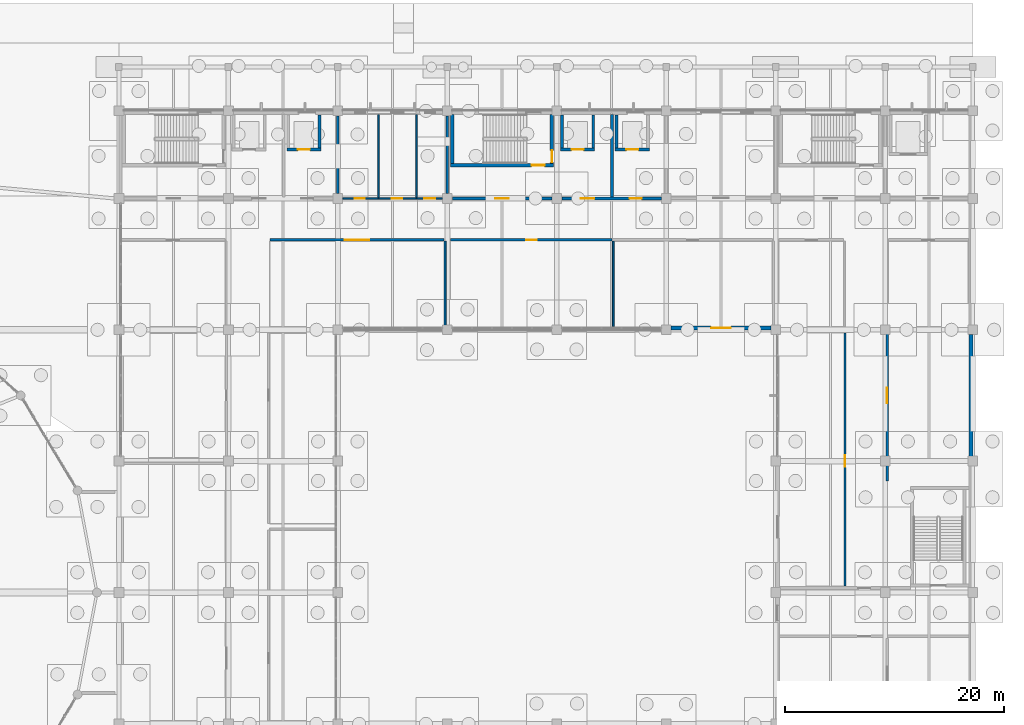
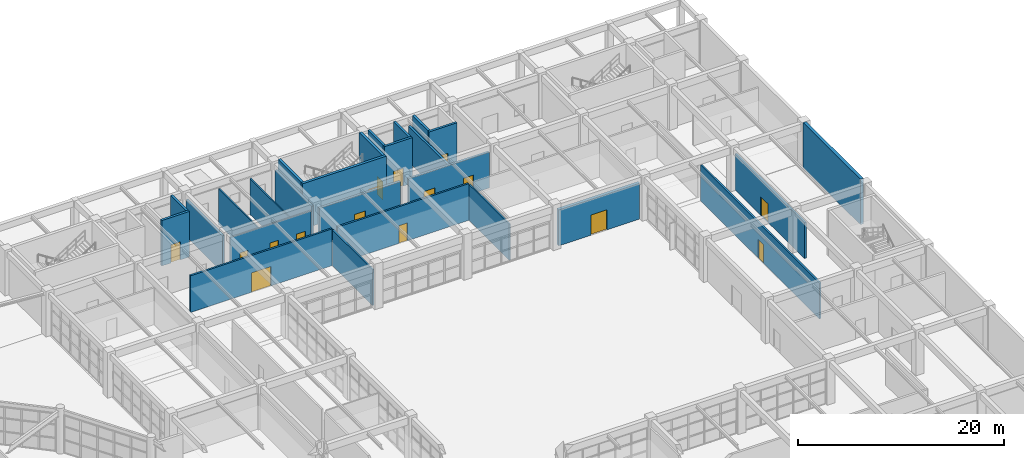
# One storey, part 82 of 99: 26 walls, 16 doors, 16 openings.
"""IFC4 building model written with IfcOpenShell, lengths in metres."""

from ifc_helpers import new_model, si_unit, direction, frame, frame_2d, origin, place, context, subcontext, project, spatial, rectangle, extrude, material, layer, layer_set, type_object, element, fill, save


model = new_model("IFC4")

# Units and contexts
model_context = context("Model", 3, precision=1e-05, world=origin(), true_north=direction((0.0, 1.0)))
body_context = subcontext(model_context, "Body", "Model", "MODEL_VIEW")
ifc_project = project(units=[si_unit("LENGTHUNIT", "METRE"), si_unit("AREAUNIT", "SQUARE_METRE"), si_unit("VOLUMEUNIT", "CUBIC_METRE"), si_unit("PLANEANGLEUNIT", "RADIAN"), si_unit("MASSUNIT", "GRAM", prefix="KILO")], contexts=[model_context])

# Site, building, storey
site_placement = place(None, origin())
site = spatial("IfcSite", under=ifc_project, at=site_placement, CompositionType="ELEMENT")
building_placement = place(site_placement, origin())
building = spatial("IfcBuilding", under=site, at=building_placement, Name="Kivolera Central Railway Station", CompositionType="ELEMENT")
storey_placement = place(building_placement, origin())
storey = spatial("IfcBuildingStorey", under=building, at=storey_placement, Name="L00", CompositionType="ELEMENT", Elevation=0.0)

# Wall, opening, door
ifc_material_1 = material(Name="Concrete C40/50", Category="concrete")
ifc_layer_1 = layer(ifc_material_1, 0.22998046875, Name="Concrete C40/50")
ifc_layer_set_1 = layer_set([ifc_layer_1], Name="Concrete C40/50")
wall_type_1 = type_object("IfcWallType", Name="WL-COMP-230", PredefinedType="PARTITIONING", material=ifc_layer_set_1)
wall_1_placement = place(storey_placement, frame((188.179931640625, 100.199951171875, 0.0), z_axis=(0.0, 0.0, 1.0), x_axis=(0.0, 1.0, 0.0)))
wall_1 = element("IfcWall", 1, at=wall_1_placement, inside=storey, type_object=wall_type_1, Name="L00 Chilled Water Plant Room Corridor Wall", PredefinedType="PARTITIONING", context=body_context, shape_type="SweptSolid", body=[
    extrude(rectangle(XDim=13.5, YDim=0.22998046875, at=frame_2d((6.75, 0.0))), origin(), (0.0, 0.0, 1.0), 4.258056640625),
])
opening_1_placement = place(wall_1_placement, frame((7.10009765625, 0.0, 0.0)))
opening_1 = element("IfcOpeningElement", 2, at=opening_1_placement, cuts=wall_1, Name="Opening D-PLT-1400", PredefinedType="OPENING", context=body_context, shape_type="SweptSolid", body=[
    extrude(rectangle(XDim=1.39990234375, YDim=2.199951171875, at=frame_2d((0.699951171875, 1.10009765625))), frame((0.0, 0.125, 0.0), z_axis=(0.0, -1.0, 0.0), x_axis=(1.0, 0.0, 0.0)), (0.0, 0.0, 1.0), 0.25),
])
ifc_material_2 = material(Name="Anodised aluminium", Category="aluminium")
door_type_1 = type_object("IfcDoorType", Name="DR-D-PLT-1400", OperationType="NOTDEFINED", PredefinedType="DOOR", material=ifc_material_2)
door_1_placement = place(opening_1_placement, origin())
door_1 = element("IfcDoor", 3, at=door_1_placement, inside=storey, type_object=door_type_1, Name="L00 Chilled Water Plant Room Door", OperationType="SINGLE_SWING_LEFT", OverallHeight=2.199951171875, OverallWidth=1.39990234375, PredefinedType="DOOR", context=body_context, shape_type="SweptSolid", body=[
    extrude(rectangle(XDim=1.39990234375, YDim=2.199951171875, at=frame_2d((0.699951171875, 1.10009765625))), frame((0.0, 0.02490234375, 0.0), z_axis=(0.0, -1.0, 0.0), x_axis=(1.0, 0.0, 0.0)), (0.0, 0.0, 1.0), 0.050048828125),
])
fill(opening_1, door_1)

ifc_material_3 = material(Name="Swahili coral limestone", Category="masonry")
ifc_layer_2 = layer(ifc_material_3, 0.199951171875, Name="Swahili coral limestone")
ifc_layer_set_2 = layer_set([ifc_layer_2], Name="Swahili coral limestone")
wall_type_2 = type_object("IfcWallType", Name="WL-COR-200", PredefinedType="PARTITIONING", material=ifc_layer_set_2)
wall_2_placement = place(storey_placement, frame((131.800048828125, 122.219970703125, 0.0), z_axis=(0.0, 0.0, 1.0), x_axis=(1.0, 0.0, 0.0)))
wall_2 = element("IfcWall", 4, at=wall_2_placement, inside=storey, type_object=wall_type_2, Name="L00 Station Pharmacy and Travel Retail Shop Corridor Wall", PredefinedType="PARTITIONING", context=body_context, shape_type="SweptSolid", body=[
    extrude(rectangle(XDim=15.89990234375, YDim=0.199951171875, at=frame_2d((7.949951171875, 0.0))), origin(), (0.0, 0.0, 1.0), 4.35791015625),
])
opening_2_placement = place(wall_2_placement, frame((6.85009765625, 0.0, 0.0)))
opening_2 = element("IfcOpeningElement", 5, at=opening_2_placement, cuts=wall_2, Name="Opening D-DB-08", PredefinedType="OPENING", context=body_context, shape_type="SweptSolid", body=[
    extrude(rectangle(XDim=2.199951171875, YDim=2.300048828125, at=frame_2d((1.10009765625, 1.14990234375))), frame((0.0, 0.10986328125, 0.0), z_axis=(0.0, -1.0, 0.0), x_axis=(1.0, 0.0, 0.0)), (0.0, 0.0, 1.0), 0.219970703125),
])
door_type_2 = type_object("IfcDoorType", Name="DR-D-DB-08", OperationType="NOTDEFINED", PredefinedType="DOOR", material=ifc_material_2)
door_2_placement = place(opening_2_placement, origin())
door_2 = element("IfcDoor", 6, at=door_2_placement, inside=storey, type_object=door_type_2, Name="L00 Station Pharmacy and Travel Retail Shop Door", OperationType="DOUBLE_DOOR_SINGLE_SWING", OverallHeight=2.300048828125, OverallWidth=2.199951171875, PredefinedType="DOOR", context=body_context, shape_type="SweptSolid", body=[
    extrude(rectangle(XDim=2.199951171875, YDim=2.300048828125, at=frame_2d((1.10009765625, 1.14990234375))), frame((0.0, 0.02490234375, 0.0), z_axis=(0.0, -1.0, 0.0), x_axis=(1.0, 0.0, 0.0)), (0.0, 0.0, 1.0), 0.050048828125),
])
fill(opening_2, door_2)

wall_3_placement = place(storey_placement, frame((148.300048828125, 122.219970703125, 0.0), z_axis=(0.0, 0.0, 1.0), x_axis=(1.0, 0.0, 0.0)))
wall_3 = element("IfcWall", 7, at=wall_3_placement, inside=storey, type_object=wall_type_2, Name="L00 Swahili Craft and Book Retail Shop Corridor Wall", PredefinedType="PARTITIONING", context=body_context, shape_type="SweptSolid", body=[
    extrude(rectangle(XDim=14.75, YDim=0.199951171875, at=frame_2d((7.375, 0.0))), origin(), (0.0, 0.0, 1.0), 4.35791015625),
])
opening_3_placement = place(wall_3_placement, frame((6.89990234375, 0.0, 0.0)))
opening_3 = element("IfcOpeningElement", 8, at=opening_3_placement, cuts=wall_3, Name="Opening D-SG-02", PredefinedType="OPENING", context=body_context, shape_type="SweptSolid", body=[
    extrude(rectangle(XDim=0.949951171875, YDim=2.10009765625, at=frame_2d((0.47509765625, 1.050048828125))), frame((0.0, 0.10986328125, 0.0), z_axis=(0.0, -1.0, 0.0), x_axis=(1.0, 0.0, 0.0)), (0.0, 0.0, 1.0), 0.219970703125),
])
ifc_material_4 = material(Name="Hardwood mvule timber", Category="wood")
door_type_3 = type_object("IfcDoorType", Name="DR-D-SG-02", OperationType="NOTDEFINED", PredefinedType="DOOR", material=ifc_material_4)
door_3_placement = place(opening_3_placement, origin())
door_3 = element("IfcDoor", 9, at=door_3_placement, inside=storey, type_object=door_type_3, Name="L00 Swahili Craft and Book Retail Shop Door", OperationType="SINGLE_SWING_LEFT", OverallHeight=2.10009765625, OverallWidth=0.949951171875, PredefinedType="DOOR", context=body_context, shape_type="SweptSolid", body=[
    extrude(rectangle(XDim=0.949951171875, YDim=2.10009765625, at=frame_2d((0.47509765625, 1.050048828125))), frame((0.0, 0.02490234375, 0.0), z_axis=(0.0, -1.0, 0.0), x_axis=(1.0, 0.0, 0.0)), (0.0, 0.0, 1.0), 0.050048828125),
])
fill(opening_3, door_3)

wall_4_placement = place(storey_placement, frame((184.320068359375, 90.60009765625, 0.0), z_axis=(0.0, 0.0, 1.0), x_axis=(0.0, 1.0, 0.0)))
wall_4 = element("IfcWall", 10, at=wall_4_placement, inside=storey, type_object=wall_type_2, Name="L00 Botanical Florist and Gift Shop Corridor Wall", PredefinedType="PARTITIONING", context=body_context, shape_type="SweptSolid", body=[
    extrude(rectangle(XDim=23.099853515625, YDim=0.199951171875, at=frame_2d((11.5498046875, 0.0))), origin(), (0.0, 0.0, 1.0), 4.258056640625),
])
opening_4_placement = place(wall_4_placement, frame((10.875, 0.0, 0.0)))
opening_4 = element("IfcOpeningElement", 11, at=opening_4_placement, cuts=wall_4, Name="Opening D-SG-10", PredefinedType="OPENING", context=body_context, shape_type="SweptSolid", body=[
    extrude(rectangle(XDim=1.050048828125, YDim=2.199951171875, at=frame_2d((0.52490234375, 1.10009765625))), frame((0.0, 0.10986328125, 0.0), z_axis=(0.0, -1.0, 0.0), x_axis=(1.0, 0.0, 0.0)), (0.0, 0.0, 1.0), 0.219970703125),
])
door_type_4 = type_object("IfcDoorType", Name="DR-D-SG-10", OperationType="NOTDEFINED", PredefinedType="DOOR", material=ifc_material_4)
door_4_placement = place(opening_4_placement, origin())
door_4 = element("IfcDoor", 12, at=door_4_placement, inside=storey, type_object=door_type_4, Name="L00 Botanical Florist and Gift Shop Door", OperationType="SINGLE_SWING_RIGHT", OverallHeight=2.199951171875, OverallWidth=1.050048828125, PredefinedType="DOOR", context=body_context, shape_type="SweptSolid", body=[
    extrude(rectangle(XDim=1.050048828125, YDim=2.199951171875, at=frame_2d((0.52490234375, 1.10009765625))), frame((0.0, 0.02490234375, 0.0), z_axis=(0.0, -1.0, 0.0), x_axis=(1.0, 0.0, 0.0)), (0.0, 0.0, 1.0), 0.050048828125),
])
fill(opening_4, door_4)

ifc_layer_3 = layer(ifc_material_1, 0.300048828125, Name="Concrete C40/50")
ifc_layer_set_3 = layer_set([ifc_layer_3], Name="Concrete C40/50")
wall_type_3 = type_object("IfcWallType", Name="WL-CORE-300", PredefinedType="SHEAR", material=ifc_layer_set_3)
wall_5_placement = place(storey_placement, frame((157.699951171875, 129.030029296875, 0.0), z_axis=(0.0, 0.0, 1.0), x_axis=(-1.0, 0.0, 0.0)))
wall_5 = element("IfcWall", 13, at=wall_5_placement, inside=storey, type_object=wall_type_3, Name="L00 ST2 Core Right Shear Wall", PredefinedType="SHEAR", context=body_context, shape_type="SweptSolid", body=[
    extrude(rectangle(XDim=9.39990234375, YDim=0.300048828125, at=frame_2d((4.699951171875, 0.0))), origin(), (0.0, 0.0, 1.0), 5.39990234375),
])
opening_5_placement = place(wall_5_placement, frame((0.800048828125, 0.0, 0.0)))
opening_5 = element("IfcOpeningElement", 14, at=opening_5_placement, cuts=wall_5, Name="Opening D-STAIR-1200", PredefinedType="OPENING", context=body_context, shape_type="SweptSolid", body=[
    extrude(rectangle(XDim=1.199951171875, YDim=2.14990234375, at=frame_2d((0.60009765625, 1.074951171875))), frame((0.0, 0.159912109375, 0.0), z_axis=(0.0, -1.0, 0.0), x_axis=(1.0, 0.0, 0.0)), (0.0, 0.0, 1.0), 0.320068359375),
])
door_type_5 = type_object("IfcDoorType", Name="DR-D-STAIR-1200", OperationType="NOTDEFINED", PredefinedType="DOOR", material=ifc_material_4)
door_5_placement = place(opening_5_placement, origin())
door_5 = element("IfcDoor", 15, at=door_5_placement, inside=storey, type_object=door_type_5, Name="L00 ST2 Vestibule Fire Door", OperationType="SINGLE_SWING_LEFT", OverallHeight=2.14990234375, OverallWidth=1.199951171875, PredefinedType="DOOR", context=body_context, shape_type="SweptSolid", body=[
    extrude(rectangle(XDim=1.199951171875, YDim=2.14990234375, at=frame_2d((0.60009765625, 1.074951171875))), frame((0.0, 0.02490234375, 0.0), z_axis=(0.0, -1.0, 0.0), x_axis=(1.0, 0.0, 0.0)), (0.0, 0.0, 1.0), 0.050048828125),
])
fill(opening_5, door_5)

wall_6_placement = place(storey_placement, frame((157.550048828125, 133.679931640625, 0.0), z_axis=(0.0, 0.0, 1.0), x_axis=(0.0, -1.0, 0.0)))
wall_6 = element("IfcWall", 16, at=wall_6_placement, inside=storey, type_object=wall_type_3, Name="L00 ST2 Core Near Shear Wall", PredefinedType="SHEAR", context=body_context, shape_type="SweptSolid", body=[
    extrude(rectangle(XDim=4.5, YDim=0.300048828125, at=frame_2d((2.25, 0.0))), origin(), (0.0, 0.0, 1.0), 5.39990234375),
])
opening_6_placement = place(wall_6_placement, frame((3.300048828125, 0.0, 0.0)))
opening_6 = element("IfcOpeningElement", 17, at=opening_6_placement, cuts=wall_6, Name="Opening D-FFL-1100", PredefinedType="OPENING", context=body_context, shape_type="SweptSolid", body=[
    extrude(rectangle(XDim=1.10009765625, YDim=2.14990234375, at=frame_2d((0.550048828125, 1.074951171875))), frame((0.0, 0.159912109375, 0.0), z_axis=(0.0, -1.0, 0.0), x_axis=(1.0, 0.0, 0.0)), (0.0, 0.0, 1.0), 0.320068359375),
])
door_type_6 = type_object("IfcDoorType", Name="DR-D-FFL-1100", OperationType="NOTDEFINED", PredefinedType="DOOR", material=ifc_material_4)
door_6_placement = place(opening_6_placement, origin())
door_6 = element("IfcDoor", 18, at=door_6_placement, inside=storey, type_object=door_type_6, Name="L00 Firefighting Lobby to ST2 Fire Door", OperationType="SINGLE_SWING_RIGHT", OverallHeight=2.14990234375, OverallWidth=1.10009765625, PredefinedType="DOOR", context=body_context, shape_type="SweptSolid", body=[
    extrude(rectangle(XDim=1.10009765625, YDim=2.14990234375, at=frame_2d((0.550048828125, 1.074951171875))), frame((0.0, 0.02490234375, 0.0), z_axis=(0.0, -1.0, 0.0), x_axis=(1.0, 0.0, 0.0)), (0.0, 0.0, 1.0), 0.050048828125),
])
fill(opening_6, door_6)

# Wall
wall_7_placement = place(storey_placement, frame((148.449951171875, 129.179931640625, 0.0), z_axis=(0.0, 0.0, 1.0), x_axis=(0.0, 1.0, 0.0)))
element("IfcWall", 19, at=wall_7_placement, inside=storey, type_object=wall_type_3, Name="L00 ST2 Core Far Shear Wall", PredefinedType="SHEAR", context=body_context, shape_type="SweptSolid", body=[
    extrude(rectangle(XDim=4.5, YDim=0.300048828125, at=frame_2d((2.25, 0.0))), origin(), (0.0, 0.0, 1.0), 5.39990234375),
])

# Wall, opening, door
ifc_layer_4 = layer(ifc_material_3, 0.340087890625, Name="Swahili coral limestone")
ifc_layer_set_4 = layer_set([ifc_layer_4], Name="Swahili coral limestone")
wall_type_4 = type_object("IfcWallType", Name="WL-EXT-PLINTH-340", PredefinedType="SOLIDWALL", material=ifc_layer_set_4)
wall_8_placement = place(storey_placement, frame((177.554931640625, 114.169921875, 0.0), z_axis=(0.0, 0.0, 1.0), x_axis=(-1.0, 0.0, 0.0)))
wall_8 = element("IfcWall", 20, at=wall_8_placement, inside=storey, type_object=wall_type_4, Name="L00 Courtyard North Wall 168", PredefinedType="SOLIDWALL", context=body_context, shape_type="SweptSolid", body=[
    extrude(rectangle(XDim=9.10986328125, YDim=0.340087890625, at=frame_2d((4.554931640625, 0.0))), origin(), (0.0, 0.0, 1.0), 4.258056640625),
])
opening_7_placement = place(wall_8_placement, frame((3.655029296875, 0.0, 0.0)))
opening_7 = element("IfcOpeningElement", 21, at=opening_7_placement, cuts=wall_8, Name="Opening ED-1800", PredefinedType="OPENING", context=body_context, shape_type="SweptSolid", body=[
    extrude(rectangle(XDim=1.800048828125, YDim=2.39990234375, at=frame_2d((0.89990234375, 1.199951171875))), frame((0.0, 0.179931640625, 0.0), z_axis=(0.0, -1.0, 0.0), x_axis=(1.0, 0.0, 0.0)), (0.0, 0.0, 1.0), 0.360107421875),
])
door_type_7 = type_object("IfcDoorType", Name="DR-ED-1800", OperationType="NOTDEFINED", PredefinedType="DOOR", material=ifc_material_2)
door_7_placement = place(opening_7_placement, origin())
door_7 = element("IfcDoor", 22, at=door_7_placement, inside=storey, type_object=door_type_7, Name="Monsoon Court Cafe Exit Door ED-33", OperationType="DOUBLE_DOOR_SINGLE_SWING", OverallHeight=2.39990234375, OverallWidth=1.800048828125, PredefinedType="DOOR", context=body_context, shape_type="SweptSolid", body=[
    extrude(rectangle(XDim=1.800048828125, YDim=2.39990234375, at=frame_2d((0.89990234375, 1.199951171875))), frame((0.0, 0.02490234375, 0.0), z_axis=(0.0, -1.0, 0.0), x_axis=(1.0, 0.0, 0.0)), (0.0, 0.0, 1.0), 0.050048828125),
])
fill(opening_7, door_7)

ifc_layer_5 = layer(ifc_material_1, 0.25, Name="Concrete C40/50")
ifc_layer_set_5 = layer_set([ifc_layer_5], Name="Concrete C40/50")
wall_type_5 = type_object("IfcWallType", Name="WL-FFL-250", PredefinedType="PARTITIONING", material=ifc_layer_set_5)
wall_9_placement = place(storey_placement, frame((148.455078125, 126.0, 0.0), z_axis=(0.0, 0.0, 1.0), x_axis=(1.0, 0.0, 0.0)))
wall_9 = element("IfcWall", 23, at=wall_9_placement, inside=storey, type_object=wall_type_5, Name="L00 North Core Corridor Wall 148", PredefinedType="PARTITIONING", context=body_context, shape_type="SweptSolid", body=[
    extrude(rectangle(XDim=9.08984375, YDim=0.25, at=frame_2d((4.544921875, 0.0))), origin(), (0.0, 0.0, 1.0), 4.258056640625),
])
opening_8_placement = place(wall_9_placement, frame((3.919921875, 0.0, 0.0)))
opening_8 = element("IfcOpeningElement", 24, at=opening_8_placement, cuts=wall_9, Name="Opening D-FFL-1250", PredefinedType="OPENING", context=body_context, shape_type="SweptSolid", body=[
    extrude(rectangle(XDim=1.25, YDim=2.14990234375, at=frame_2d((0.625, 1.074951171875))), frame((0.0, 0.135009765625, 0.0), z_axis=(0.0, -1.0, 0.0), x_axis=(1.0, 0.0, 0.0)), (0.0, 0.0, 1.0), 0.27001953125),
])
door_type_8 = type_object("IfcDoorType", Name="DR-D-FFL-1250", OperationType="NOTDEFINED", PredefinedType="DOOR", material=ifc_material_4)
door_8_placement = place(opening_8_placement, origin())
door_8 = element("IfcDoor", 25, at=door_8_placement, inside=storey, type_object=door_type_8, Name="L00 ST2 Vestibule Corridor Door", OperationType="SINGLE_SWING_LEFT", OverallHeight=2.14990234375, OverallWidth=1.25, PredefinedType="DOOR", context=body_context, shape_type="SweptSolid", body=[
    extrude(rectangle(XDim=1.25, YDim=2.14990234375, at=frame_2d((0.625, 1.074951171875))), frame((0.0, 0.02490234375, 0.0), z_axis=(0.0, -1.0, 0.0), x_axis=(1.0, 0.0, 0.0)), (0.0, 0.0, 1.0), 0.050048828125),
])
fill(opening_8, door_8)

# Wall, openings, doors
wall_10_placement = place(storey_placement, frame((158.455078125, 126.0, 0.0), z_axis=(0.0, 0.0, 1.0), x_axis=(1.0, 0.0, 0.0)))
wall_10 = element("IfcWall", 26, at=wall_10_placement, inside=storey, type_object=wall_type_5, Name="L00 North Core Corridor Wall 158", PredefinedType="PARTITIONING", context=body_context, shape_type="SweptSolid", body=[
    extrude(rectangle(XDim=9.08984375, YDim=0.25, at=frame_2d((4.544921875, 0.0))), origin(), (0.0, 0.0, 1.0), 4.258056640625),
])
opening_9_placement = place(wall_10_placement, frame((1.719970703125, 0.0, 0.0)))
opening_9 = element("IfcOpeningElement", 27, at=opening_9_placement, cuts=wall_10, Name="Opening D-FFL-1250", PredefinedType="OPENING", context=body_context, shape_type="SweptSolid", body=[
    extrude(rectangle(XDim=1.25, YDim=2.14990234375, at=frame_2d((0.625, 1.074951171875))), frame((0.0, 0.135009765625, 0.0), z_axis=(0.0, -1.0, 0.0), x_axis=(1.0, 0.0, 0.0)), (0.0, 0.0, 1.0), 0.27001953125),
])
opening_10_placement = place(wall_10_placement, frame((6.195068359375, 0.0, 0.0)))
opening_10 = element("IfcOpeningElement", 28, at=opening_10_placement, cuts=wall_10, Name="Opening D-FFL-1100", PredefinedType="OPENING", context=body_context, shape_type="SweptSolid", body=[
    extrude(rectangle(XDim=1.10009765625, YDim=2.14990234375, at=frame_2d((0.550048828125, 1.074951171875))), frame((0.0, 0.135009765625, 0.0), z_axis=(0.0, -1.0, 0.0), x_axis=(1.0, 0.0, 0.0)), (0.0, 0.0, 1.0), 0.27001953125),
])
door_9_placement = place(opening_10_placement, origin())
door_9 = element("IfcDoor", 29, at=door_9_placement, inside=storey, type_object=door_type_6, Name="L00 PL2 Lift Lobby Door", OperationType="SINGLE_SWING_LEFT", OverallHeight=2.14990234375, OverallWidth=1.10009765625, PredefinedType="DOOR", context=body_context, shape_type="SweptSolid", body=[
    extrude(rectangle(XDim=1.10009765625, YDim=2.14990234375, at=frame_2d((0.550048828125, 1.074951171875))), frame((0.0, 0.02490234375, 0.0), z_axis=(0.0, -1.0, 0.0), x_axis=(1.0, 0.0, 0.0)), (0.0, 0.0, 1.0), 0.050048828125),
])
fill(opening_10, door_9)
door_10_placement = place(opening_9_placement, origin())
door_10 = element("IfcDoor", 30, at=door_10_placement, inside=storey, type_object=door_type_8, Name="L00 FL2 Firefighting Lobby Corridor Fire Door", OperationType="SINGLE_SWING_RIGHT", OverallHeight=2.14990234375, OverallWidth=1.25, PredefinedType="DOOR", context=body_context, shape_type="SweptSolid", body=[
    extrude(rectangle(XDim=1.25, YDim=2.14990234375, at=frame_2d((0.625, 1.074951171875))), frame((0.0, 0.02490234375, 0.0), z_axis=(0.0, -1.0, 0.0), x_axis=(1.0, 0.0, 0.0)), (0.0, 0.0, 1.0), 0.050048828125),
])
fill(opening_9, door_10)

# Walls
wall_11_placement = place(storey_placement, frame((163.050048828125, 126.125, 0.0), z_axis=(0.0, 0.0, 1.0), x_axis=(0.0, 1.0, 0.0)))
element("IfcWall", 31, at=wall_11_placement, inside=storey, type_object=wall_type_5, Name="L00 North Core Partition FFL2-DIV", PredefinedType="PARTITIONING", context=body_context, shape_type="SweptSolid", body=[
    extrude(rectangle(XDim=7.534912109375, YDim=0.25, at=frame_2d((3.767578125, 0.0))), origin(), (0.0, 0.0, 1.0), 4.258056640625),
])
for number, where, z_axis, x_axis, name in (
    (32, (138.0, 126.455078125, 0.0), (0.0, 0.0, 1.0), (0.0, 1.0, 0.0), "L00 North Core Partition GRID-138"),
    (33, (148.0, 126.455078125, 0.0), (0.0, 0.0, 1.0), (0.0, 1.0, 0.0), "L00 North Core Partition GRID-148"),
):
    element("IfcWall", number, at=place(storey_placement, frame(where, z_axis=z_axis, x_axis=x_axis)), inside=storey, type_object=wall_type_5, Name=name, PredefinedType="PARTITIONING", context=body_context, shape_type="SweptSolid", body=[
        extrude(rectangle(XDim=7.08984375, YDim=0.25, at=frame_2d((3.544921875, 0.0))), origin(), (0.0, 0.0, 1.0), 4.35791015625),
    ])
ifc_layer_6 = layer(ifc_material_1, 0.35009765625, Name="Concrete C40/50")
ifc_layer_set_6 = layer_set([ifc_layer_6], Name="Concrete C40/50")
wall_type_6 = type_object("IfcWallType", Name="WL-PARTY-350", PredefinedType="SOLIDWALL", material=ifc_layer_set_6)
wall_12_placement = place(storey_placement, frame((195.824951171875, 113.554931640625, 0.0), z_axis=(0.0, 0.0, 1.0), x_axis=(0.0, -1.0, 0.0)))
element("IfcWall", 34, at=wall_12_placement, inside=storey, type_object=wall_type_6, Name="L00 East Infill EI 120 Party Wall 102-114", PredefinedType="SOLIDWALL", context=body_context, shape_type="SweptSolid", body=[
    extrude(rectangle(XDim=11.10986328125, YDim=0.35009765625, at=frame_2d((5.554931640625, 0.0))), origin(), (0.0, 0.0, 1.0), 5.39990234375),
])

# Wall, openings, doors
ifc_material_5 = material(Name="Gypsum plasterboard steel-stud partition")
ifc_layer_7 = layer(ifc_material_5, 0.14990234375, Name="Gypsum plasterboard steel-stud partition")
ifc_layer_set_7 = layer_set([ifc_layer_7], Name="Gypsum plasterboard steel-stud partition")
wall_type_7 = type_object("IfcWallType", Name="WL-PRT-150", PredefinedType="PARTITIONING", material=ifc_layer_set_7)
wall_13_placement = place(storey_placement, frame((138.455078125, 126.0, 0.0), z_axis=(0.0, 0.0, 1.0), x_axis=(1.0, 0.0, 0.0)))
wall_13 = element("IfcWall", 35, at=wall_13_placement, inside=storey, type_object=wall_type_7, Name="L00 North Core Corridor Wall 138", PredefinedType="PARTITIONING", context=body_context, shape_type="SweptSolid", body=[
    extrude(rectangle(XDim=9.08984375, YDim=0.14990234375, at=frame_2d((4.544921875, 0.0))), origin(), (0.0, 0.0, 1.0), 4.258056640625),
])
opening_11_placement = place(wall_13_placement, frame((1.094970703125, 0.0, 0.0)))
opening_11 = element("IfcOpeningElement", 36, at=opening_11_placement, cuts=wall_13, Name="Opening D-WC-0900", PredefinedType="OPENING", context=body_context, shape_type="SweptSolid", body=[
    extrude(rectangle(XDim=0.89990234375, YDim=2.050048828125, at=frame_2d((0.449951171875, 1.02490234375))), frame((0.0, 0.0849609375, 0.0), z_axis=(0.0, -1.0, 0.0), x_axis=(1.0, 0.0, 0.0)), (0.0, 0.0, 1.0), 0.169921875),
])
opening_12_placement = place(wall_13_placement, frame((4.469970703125, 0.0, 0.0)))
opening_12 = element("IfcOpeningElement", 37, at=opening_12_placement, cuts=wall_13, Name="Opening D-WC-0950", PredefinedType="OPENING", context=body_context, shape_type="SweptSolid", body=[
    extrude(rectangle(XDim=0.949951171875, YDim=2.050048828125, at=frame_2d((0.47509765625, 1.02490234375))), frame((0.0, 0.0849609375, 0.0), z_axis=(0.0, -1.0, 0.0), x_axis=(1.0, 0.0, 0.0)), (0.0, 0.0, 1.0), 0.169921875),
])
opening_13_placement = place(wall_13_placement, frame((7.445068359375, 0.0, 0.0)))
opening_13 = element("IfcOpeningElement", 38, at=opening_13_placement, cuts=wall_13, Name="Opening D-ACC-1000", PredefinedType="OPENING", context=body_context, shape_type="SweptSolid", body=[
    extrude(rectangle(XDim=1.0, YDim=2.050048828125, at=frame_2d((0.5, 1.02490234375))), frame((0.0, 0.0849609375, 0.0), z_axis=(0.0, -1.0, 0.0), x_axis=(1.0, 0.0, 0.0)), (0.0, 0.0, 1.0), 0.169921875),
])
door_type_9 = type_object("IfcDoorType", Name="DR-D-ACC-1000", OperationType="NOTDEFINED", PredefinedType="DOOR", material=ifc_material_4)
door_11_placement = place(opening_13_placement, origin())
door_11 = element("IfcDoor", 39, at=door_11_placement, inside=storey, type_object=door_type_9, Name="L00 Accessible Washroom Door", OperationType="SINGLE_SWING_RIGHT", OverallHeight=2.050048828125, OverallWidth=1.0, PredefinedType="DOOR", context=body_context, shape_type="SweptSolid", body=[
    extrude(rectangle(XDim=1.0, YDim=2.050048828125, at=frame_2d((0.5, 1.02490234375))), frame((0.0, 0.02490234375, 0.0), z_axis=(0.0, -1.0, 0.0), x_axis=(1.0, 0.0, 0.0)), (0.0, 0.0, 1.0), 0.050048828125),
])
fill(opening_13, door_11)
door_type_10 = type_object("IfcDoorType", Name="DR-D-WC-0900", OperationType="NOTDEFINED", PredefinedType="DOOR", material=ifc_material_4)
door_12_placement = place(opening_11_placement, origin())
door_12 = element("IfcDoor", 40, at=door_12_placement, inside=storey, type_object=door_type_10, Name="L00 Male Washroom Door", OperationType="SINGLE_SWING_RIGHT", OverallHeight=2.050048828125, OverallWidth=0.89990234375, PredefinedType="DOOR", context=body_context, shape_type="SweptSolid", body=[
    extrude(rectangle(XDim=0.89990234375, YDim=2.050048828125, at=frame_2d((0.449951171875, 1.02490234375))), frame((0.0, 0.02490234375, 0.0), z_axis=(0.0, -1.0, 0.0), x_axis=(1.0, 0.0, 0.0)), (0.0, 0.0, 1.0), 0.050048828125),
])
fill(opening_11, door_12)
door_type_11 = type_object("IfcDoorType", Name="DR-D-WC-0950", OperationType="NOTDEFINED", PredefinedType="DOOR", material=ifc_material_4)
door_13_placement = place(opening_12_placement, origin())
door_13 = element("IfcDoor", 41, at=door_13_placement, inside=storey, type_object=door_type_11, Name="L00 Female Washroom Door", OperationType="SINGLE_SWING_LEFT", OverallHeight=2.050048828125, OverallWidth=0.949951171875, PredefinedType="DOOR", context=body_context, shape_type="SweptSolid", body=[
    extrude(rectangle(XDim=0.949951171875, YDim=2.050048828125, at=frame_2d((0.47509765625, 1.02490234375))), frame((0.0, 0.02490234375, 0.0), z_axis=(0.0, -1.0, 0.0), x_axis=(1.0, 0.0, 0.0)), (0.0, 0.0, 1.0), 0.050048828125),
])
fill(opening_12, door_13)

# Walls
for number, where, z_axis, x_axis, name in (
    (42, (141.699951171875, 126.074951171875, 0.0), (0.0, 0.0, 1.0), (0.0, 1.0, 0.0), "L00 North Core Partition WC-DIV1"),
    (43, (145.199951171875, 126.074951171875, 0.0), (0.0, 0.0, 1.0), (0.0, 1.0, 0.0), "L00 North Core Partition WC-DIV2"),
):
    element("IfcWall", number, at=place(storey_placement, frame(where, z_axis=z_axis, x_axis=x_axis)), inside=storey, type_object=wall_type_7, Name=name, PredefinedType="PARTITIONING", context=body_context, shape_type="SweptSolid", body=[
        extrude(rectangle(XDim=7.5849609375, YDim=0.14990234375, at=frame_2d((3.79248046875, 0.0))), origin(), (0.0, 0.0, 1.0), 4.258056640625),
    ])
ifc_layer_8 = layer(ifc_material_5, 0.1650390625, Name="Gypsum plasterboard steel-stud partition")
ifc_layer_set_8 = layer_set([ifc_layer_8], Name="Gypsum plasterboard steel-stud partition")
wall_type_8 = type_object("IfcWallType", Name="WL-PRT-165", PredefinedType="PARTITIONING", material=ifc_layer_set_8)
wall_14_placement = place(storey_placement, frame((163.14990234375, 114.300048828125, 0.0), z_axis=(0.0, 0.0, 1.0), x_axis=(0.0, 1.0, 0.0)))
element("IfcWall", 44, at=wall_14_placement, inside=storey, type_object=wall_type_8, Name="L00 Swahili Craft and Book Retail Shop Partition Wall", PredefinedType="PARTITIONING", context=body_context, shape_type="SweptSolid", body=[
    extrude(rectangle(XDim=7.800048828125, YDim=0.1650390625, at=frame_2d((3.89990234375, 0.0))), origin(), (0.0, 0.0, 1.0), 4.258056640625),
])
ifc_layer_9 = layer(ifc_material_5, 0.179931640625, Name="Gypsum plasterboard steel-stud partition")
ifc_layer_set_9 = layer_set([ifc_layer_9], Name="Gypsum plasterboard steel-stud partition")
wall_type_9 = type_object("IfcWallType", Name="WL-PRT-180", PredefinedType="PARTITIONING", material=ifc_layer_set_9)
wall_15_placement = place(storey_placement, frame((147.800048828125, 114.300048828125, 0.0), z_axis=(0.0, 0.0, 1.0), x_axis=(0.0, 1.0, 0.0)))
element("IfcWall", 45, at=wall_15_placement, inside=storey, type_object=wall_type_9, Name="L00 Station Pharmacy and Travel Retail Shop Partition Wall", PredefinedType="PARTITIONING", context=body_context, shape_type="SweptSolid", body=[
    extrude(rectangle(XDim=7.800048828125, YDim=0.179931640625, at=frame_2d((3.89990234375, 0.0))), origin(), (0.0, 0.0, 1.0), 4.258056640625),
])

# Wall, opening, door
ifc_layer_10 = layer(ifc_material_1, 0.260009765625, Name="Concrete C40/50")
ifc_layer_set_10 = layer_set([ifc_layer_10], Name="Concrete C40/50")
wall_type_10 = type_object("IfcWallType", Name="WL-SHAFT-260", PredefinedType="SHEAR", material=ifc_layer_set_10)
wall_16_placement = place(storey_placement, frame((158.340087890625, 130.469970703125, 0.0), z_axis=(0.0, 0.0, 1.0), x_axis=(1.0, 0.0, 0.0)))
wall_16 = element("IfcWall", 46, at=wall_16_placement, inside=storey, type_object=wall_type_10, Name="L00 Lift FL2 Front Shaft Wall", PredefinedType="SHEAR", context=body_context, shape_type="SweptSolid", body=[
    extrude(rectangle(XDim=3.119873046875, YDim=0.260009765625, at=frame_2d((1.56005859375, 0.0))), origin(), (0.0, 0.0, 1.0), 5.39990234375),
])
opening_14_placement = place(wall_16_placement, frame((1.010009765625, 0.0, 0.0)))
opening_14 = element("IfcOpeningElement", 47, at=opening_14_placement, cuts=wall_16, Name="Opening LD-FFL-1100", PredefinedType="OPENING", context=body_context, shape_type="SweptSolid", body=[
    extrude(rectangle(XDim=1.10009765625, YDim=2.10009765625, at=frame_2d((0.550048828125, 1.050048828125))), frame((0.0, 0.139892578125, 0.0), z_axis=(0.0, -1.0, 0.0), x_axis=(1.0, 0.0, 0.0)), (0.0, 0.0, 1.0), 0.280029296875),
])
door_type_12 = type_object("IfcDoorType", Name="DR-LD-FFL-1100", OperationType="NOTDEFINED", PredefinedType="DOOR", material=ifc_material_2)
door_14_placement = place(opening_14_placement, origin())
door_14 = element("IfcDoor", 48, at=door_14_placement, inside=storey, type_object=door_type_12, Name="L00 Lift FL2 Sliding Landing Door", OperationType="SLIDING_TO_LEFT", OverallHeight=2.10009765625, OverallWidth=1.10009765625, PredefinedType="DOOR", context=body_context, shape_type="SweptSolid", body=[
    extrude(rectangle(XDim=1.10009765625, YDim=2.10009765625, at=frame_2d((0.550048828125, 1.050048828125))), frame((0.0, 0.02490234375, 0.0), z_axis=(0.0, -1.0, 0.0), x_axis=(1.0, 0.0, 0.0)), (0.0, 0.0, 1.0), 0.050048828125),
])
fill(opening_14, door_14)

# Walls
for number, where, z_axis, x_axis, name in (
    (49, (158.469970703125, 130.60009765625, 0.0), (0.0, 0.0, 1.0), (0.0, 1.0, 0.0), "L00 Lift FL2 West Shaft Wall"),
    (50, (161.330078125, 130.60009765625, 0.0), (0.0, 0.0, 1.0), (0.0, 1.0, 0.0), "L00 Lift FL2 East Shaft Wall"),
):
    element("IfcWall", number, at=place(storey_placement, frame(where, z_axis=z_axis, x_axis=x_axis)), inside=storey, type_object=wall_type_10, Name=name, PredefinedType="SHEAR", context=body_context, shape_type="SweptSolid", body=[
        extrude(rectangle(XDim=3.0, YDim=0.260009765625, at=frame_2d((1.5, 0.0))), origin(), (0.0, 0.0, 1.0), 5.39990234375),
    ])

# Wall, opening, door
wall_17_placement = place(storey_placement, frame((133.340087890625, 130.469970703125, 0.0), z_axis=(0.0, 0.0, 1.0), x_axis=(1.0, 0.0, 0.0)))
wall_17 = element("IfcWall", 51, at=wall_17_placement, inside=storey, type_object=wall_type_10, Name="L00 Lift PL1 Front Shaft Wall", PredefinedType="SHEAR", context=body_context, shape_type="SweptSolid", body=[
    extrude(rectangle(XDim=3.119873046875, YDim=0.260009765625, at=frame_2d((1.56005859375, 0.0))), origin(), (0.0, 0.0, 1.0), 5.39990234375),
])
opening_15_placement = place(wall_17_placement, frame((1.010009765625, 0.0, 0.0)))
opening_15 = element("IfcOpeningElement", 52, at=opening_15_placement, cuts=wall_17, Name="Opening LD-PAX-1100", PredefinedType="OPENING", context=body_context, shape_type="SweptSolid", body=[
    extrude(rectangle(XDim=1.10009765625, YDim=2.14990234375, at=frame_2d((0.550048828125, 1.074951171875))), frame((0.0, 0.139892578125, 0.0), z_axis=(0.0, -1.0, 0.0), x_axis=(1.0, 0.0, 0.0)), (0.0, 0.0, 1.0), 0.280029296875),
])
door_type_13 = type_object("IfcDoorType", Name="DR-LD-PAX-1100", OperationType="NOTDEFINED", PredefinedType="DOOR", material=ifc_material_2)
door_15_placement = place(opening_15_placement, origin())
door_15 = element("IfcDoor", 53, at=door_15_placement, inside=storey, type_object=door_type_13, Name="L00 Lift PL1 Sliding Landing Door", OperationType="SLIDING_TO_LEFT", OverallHeight=2.14990234375, OverallWidth=1.10009765625, PredefinedType="DOOR", context=body_context, shape_type="SweptSolid", body=[
    extrude(rectangle(XDim=1.10009765625, YDim=2.14990234375, at=frame_2d((0.550048828125, 1.074951171875))), frame((0.0, 0.02490234375, 0.0), z_axis=(0.0, -1.0, 0.0), x_axis=(1.0, 0.0, 0.0)), (0.0, 0.0, 1.0), 0.050048828125),
])
fill(opening_15, door_15)

# Wall
wall_18_placement = place(storey_placement, frame((136.330078125, 130.60009765625, 0.0), z_axis=(0.0, 0.0, 1.0), x_axis=(0.0, 1.0, 0.0)))
element("IfcWall", 54, at=wall_18_placement, inside=storey, type_object=wall_type_10, Name="L00 Lift PL1 East Shaft Wall", PredefinedType="SHEAR", context=body_context, shape_type="SweptSolid", body=[
    extrude(rectangle(XDim=3.0, YDim=0.260009765625, at=frame_2d((1.5, 0.0))), origin(), (0.0, 0.0, 1.0), 5.39990234375),
])

# Wall, opening, door
wall_19_placement = place(storey_placement, frame((163.340087890625, 130.469970703125, 0.0), z_axis=(0.0, 0.0, 1.0), x_axis=(1.0, 0.0, 0.0)))
wall_19 = element("IfcWall", 55, at=wall_19_placement, inside=storey, type_object=wall_type_10, Name="L00 Lift PL2 Front Shaft Wall", PredefinedType="SHEAR", context=body_context, shape_type="SweptSolid", body=[
    extrude(rectangle(XDim=3.119873046875, YDim=0.260009765625, at=frame_2d((1.56005859375, 0.0))), origin(), (0.0, 0.0, 1.0), 5.39990234375),
])
opening_16_placement = place(wall_19_placement, frame((1.010009765625, 0.0, 0.0)))
opening_16 = element("IfcOpeningElement", 56, at=opening_16_placement, cuts=wall_19, Name="Opening LD-PAX-1100", PredefinedType="OPENING", context=body_context, shape_type="SweptSolid", body=[
    extrude(rectangle(XDim=1.10009765625, YDim=2.14990234375, at=frame_2d((0.550048828125, 1.074951171875))), frame((0.0, 0.139892578125, 0.0), z_axis=(0.0, -1.0, 0.0), x_axis=(1.0, 0.0, 0.0)), (0.0, 0.0, 1.0), 0.280029296875),
])
door_16_placement = place(opening_16_placement, origin())
door_16 = element("IfcDoor", 57, at=door_16_placement, inside=storey, type_object=door_type_13, Name="L00 Lift PL2 Sliding Landing Door", OperationType="SLIDING_TO_LEFT", OverallHeight=2.14990234375, OverallWidth=1.10009765625, PredefinedType="DOOR", context=body_context, shape_type="SweptSolid", body=[
    extrude(rectangle(XDim=1.10009765625, YDim=2.14990234375, at=frame_2d((0.550048828125, 1.074951171875))), frame((0.0, 0.02490234375, 0.0), z_axis=(0.0, -1.0, 0.0), x_axis=(1.0, 0.0, 0.0)), (0.0, 0.0, 1.0), 0.050048828125),
])
fill(opening_16, door_16)

# Wall
wall_20_placement = place(storey_placement, frame((163.469970703125, 130.60009765625, 0.0), z_axis=(0.0, 0.0, 1.0), x_axis=(0.0, 1.0, 0.0)))
element("IfcWall", 58, at=wall_20_placement, inside=storey, type_object=wall_type_10, Name="L00 Lift PL2 West Shaft Wall", PredefinedType="SHEAR", context=body_context, shape_type="SweptSolid", body=[
    extrude(rectangle(XDim=3.0, YDim=0.260009765625, at=frame_2d((1.5, 0.0))), origin(), (0.0, 0.0, 1.0), 5.39990234375),
])

save(model, "model.ifc")
